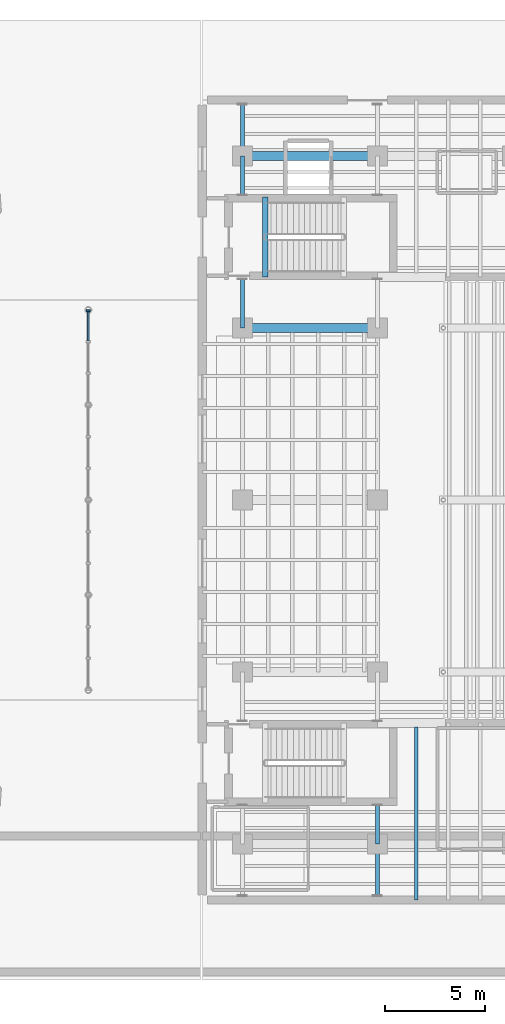
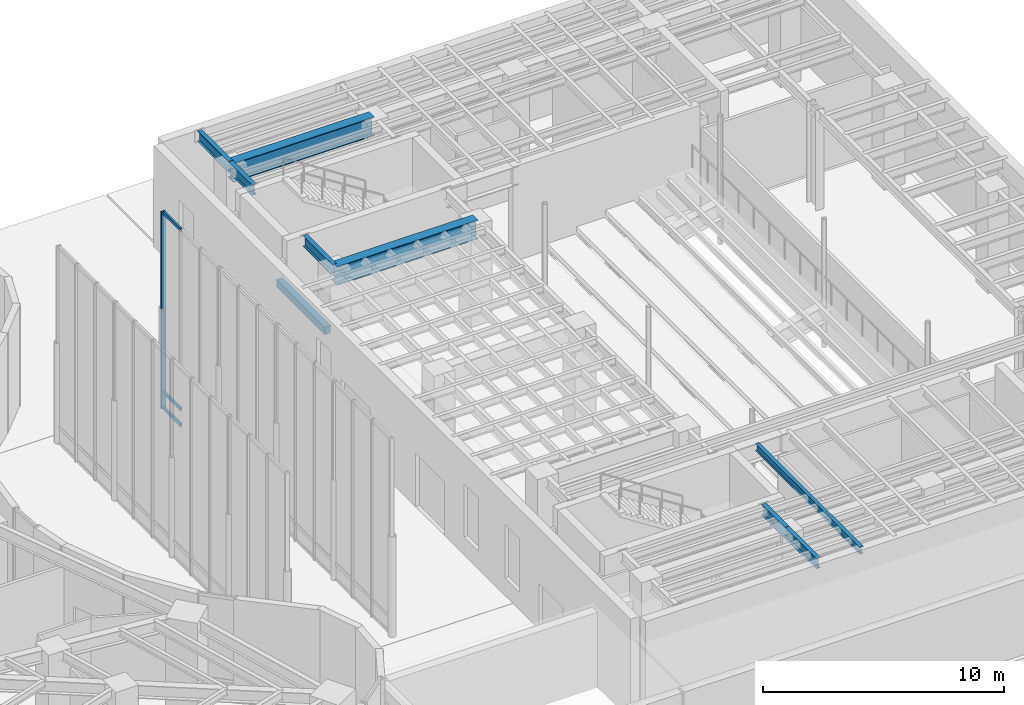
# One storey, part 12 of 28: 9 beams, 4 members, 1 element without a shape of its own.
"""IFC4 building model written with IfcOpenShell, lengths in metres."""

from ifc_helpers import new_model, si_unit, direction, frame, origin, origin_2d, place, context, subcontext, project, spatial, rectangle, i_section, extrude, material, layer, layer_set, material_profile, profile_set, type_object, element, aggregate, save


model = new_model("IFC4")

# Units and contexts
model_context = context("Model", 3, precision=1e-05, world=origin(), true_north=direction((0.0, 1.0)))
body_context = subcontext(model_context, "Body", "Model", "MODEL_VIEW")
ifc_project = project(units=[si_unit("LENGTHUNIT", "METRE"), si_unit("AREAUNIT", "SQUARE_METRE"), si_unit("VOLUMEUNIT", "CUBIC_METRE"), si_unit("PLANEANGLEUNIT", "RADIAN"), si_unit("MASSUNIT", "GRAM", prefix="KILO")], contexts=[model_context])

# Site, building, storey
site_placement = place(None, origin())
site = spatial("IfcSite", under=ifc_project, at=site_placement, CompositionType="ELEMENT")
building_placement = place(site_placement, origin())
building = spatial("IfcBuilding", under=site, at=building_placement, Name="Korentha Bioscience Tower", CompositionType="ELEMENT")
storey_placement = place(building_placement, origin())
storey = spatial("IfcBuildingStorey", under=building, at=storey_placement, Name="L00", CompositionType="ELEMENT", Elevation=0.0)

# Beam
ifc_material_1 = material(Name="Concrete C50", Category="concrete")
ifc_material_profile_1 = material_profile(ifc_material_1, rectangle(XDim=0.280029296875, YDim=0.3798828125, at=origin_2d()), Name="Concrete C50")
ifc_profile_set_1 = profile_set([ifc_material_profile_1], Name="Concrete C50 (ST-HB380)")
beam_type_1 = type_object("IfcBeamType", Name="Concrete Stair Header Beam RC 280x380", PredefinedType="BEAM", material=ifc_profile_set_1)
beam_1_placement = place(storey_placement, frame((67.64990234375, 38.14990234375, -0.18994140625), z_axis=(0.0, 1.0, 0.0), x_axis=(-1.0, 0.0, 0.0)))
element("IfcBeam", 1, at=beam_1_placement, inside=storey, type_object=beam_type_1, Name="L00 ST-T2 Concrete Stair Header Beam", PredefinedType="BEAM", context=body_context, shape_type="SweptSolid", body=[
    extrude(rectangle(XDim=0.280029296875, YDim=0.3798828125, at=origin_2d()), origin(), (0.0, 0.0, 1.0), 4.0),
])

# Curtain wall, member
ifc_material_2 = material(Name="Painted Steel-Aluminium Mullion System", Category="steel")
ifc_layer = layer(ifc_material_2, 0.219970703125, Name="Painted Steel-Aluminium Mullion System")
ifc_layer_set = layer_set([ifc_layer], Name="Painted Steel-Aluminium Mullion System (CW-A1)")
curtain_wall_type = type_object("IfcCurtainWallType", Name="Covered Public Arcade Glazed Wall CW-A1", PredefinedType="USERDEFINED", material=ifc_layer_set)
curtain_wall_placement = place(storey_placement, origin())
curtain_wall = element("IfcCurtainWall", 2, at=curtain_wall_placement, inside=storey, type_object=curtain_wall_type, Name="Covered Arcade Curtain Wall E-4", ObjectType="ARCADE_GLAZING", PredefinedType="USERDEFINED")
ifc_material_3 = material(Name="Anodised Aluminium 6063-T6", Category="aluminium")
ifc_material_profile_2 = material_profile(ifc_material_3, rectangle(XDim=0.090087890625, YDim=0.199951171875, at=origin_2d()), Name="Anodised Aluminium 6063-T6")
ifc_profile_set_2 = profile_set([ifc_material_profile_2], Name="Anodised Aluminium 6063-T6 (CW-MUL)")
member_type_1 = type_object("IfcMemberType", Name="Mullion RECT 90x200", PredefinedType="MULLION", material=ifc_profile_set_2)
member_1_placement = place(storey_placement, frame((58.800048828125, 36.455078125, 0.0), z_axis=(0.0, 0.0, 1.0), x_axis=(0.0, 1.0, 0.0)))
member_1 = element("IfcMember", 3, at=member_1_placement, type_object=member_type_1, Name="CW-ARC-E-4 Mullion 4", PredefinedType="MULLION", context=body_context, shape_type="SweptSolid", body=[
    extrude(rectangle(XDim=0.090087890625, YDim=0.199951171875, at=origin_2d()), origin(), (0.0, 0.0, 1.0), 9.9599609375),
])

# Beams
ifc_material_4 = material(Name="Steel S355", Category="steel")
ifc_material_profile_3 = material_profile(ifc_material_4, i_section(OverallWidth=0.208984375, OverallDepth=0.532958984375, WebThickness=0.01025390625, FlangeThickness=0.015625, at=origin_2d()), Name="Steel S355")
ifc_profile_set_3 = profile_set([ifc_material_profile_3], Name="Steel S355 (SB-530)")
beam_type_2 = type_object("IfcBeamType", Name="Perimeter Ring Spandrel Girder W530x92", PredefinedType="SPANDREL", material=ifc_profile_set_3)
beam_2_placement = place(storey_placement, frame((66.5, 35.60009765625, 4.83349609375), z_axis=(0.0, 1.0, 0.0), x_axis=(-1.0, 0.0, 0.0)))
element("IfcBeam", 4, at=beam_2_placement, inside=storey, type_object=beam_type_2, Name="L00 Theatre Collector Girder 1-6", PredefinedType="SPANDREL", context=body_context, shape_type="SweptSolid", body=[
    extrude(i_section(OverallWidth=0.208984375, OverallDepth=0.532958984375, WebThickness=0.01025390625, FlangeThickness=0.015625, at=origin_2d()), origin(), (0.0, 0.0, 1.0), 2.449951171875),
])
beam_3_placement = place(storey_placement, frame((66.5, 42.25, 4.83349609375), z_axis=(0.0, 1.0, 0.0), x_axis=(-1.0, 0.0, 0.0)))
element("IfcBeam", 5, at=beam_3_placement, inside=storey, type_object=beam_type_2, Name="L00 Theatre Collector Girder 1-7", PredefinedType="SPANDREL", context=body_context, shape_type="SweptSolid", body=[
    extrude(i_section(OverallWidth=0.208984375, OverallDepth=0.532958984375, WebThickness=0.01025390625, FlangeThickness=0.015625, at=origin_2d()), origin(), (0.0, 0.0, 1.0), 1.949951171875),
])
for number, where, z_axis, x_axis, name in (
    (6, (66.5, 44.199951171875, 4.83349609375), (0.0, 1.0, 0.0), (-1.0, 0.0, 0.0), "L00 Theatre Collector Girder 1-8"),
    (7, (73.25, 7.2099609375, 4.83349609375), (0.0, 1.0, 0.0), (-1.0, 0.0, 0.0), "L00 Theatre Collector Girder 2-1"),
):
    element("IfcBeam", number, at=place(storey_placement, frame(where, z_axis=z_axis, x_axis=x_axis)), inside=storey, type_object=beam_type_2, Name=name, PredefinedType="SPANDREL", context=body_context, shape_type="SweptSolid", body=[
        extrude(i_section(OverallWidth=0.208984375, OverallDepth=0.532958984375, WebThickness=0.01025390625, FlangeThickness=0.015625, at=origin_2d()), origin(), (0.0, 0.0, 1.0), 2.590087890625),
    ])
beam_4_placement = place(storey_placement, frame((73.25, 9.800048828125, 4.83349609375), z_axis=(0.0, 1.0, 0.0), x_axis=(-1.0, 0.0, 0.0)))
element("IfcBeam", 8, at=beam_4_placement, inside=storey, type_object=beam_type_2, Name="L00 Theatre Collector Girder 2-2", PredefinedType="SPANDREL", context=body_context, shape_type="SweptSolid", body=[
    extrude(i_section(OverallWidth=0.208984375, OverallDepth=0.532958984375, WebThickness=0.01025390625, FlangeThickness=0.015625, at=origin_2d()), origin(), (0.0, 0.0, 1.0), 1.949951171875),
])
ifc_material_profile_4 = material_profile(ifc_material_4, i_section(OverallWidth=0.1708984375, OverallDepth=0.35498046875, WebThickness=0.007080078125, FlangeThickness=0.01171875, at=origin_2d()), Name="Steel S355")
ifc_profile_set_4 = profile_set([ifc_material_profile_4], Name="Steel S355 (JB-360)")
beam_type_3 = type_object("IfcBeamType", Name="Secondary Laboratory Joist W360x51", PredefinedType="JOIST", material=ifc_profile_set_4)
beam_5_placement = place(storey_placement, frame((75.199951171875, 7.0, 4.922607421875), z_axis=(0.0, 1.0, 0.0), x_axis=(-1.0, 0.0, 0.0)))
element("IfcBeam", 9, at=beam_5_placement, inside=storey, type_object=beam_type_3, Name="L00 South Wing Longitudinal Joist 06", PredefinedType="JOIST", context=body_context, shape_type="SweptSolid", body=[
    extrude(i_section(OverallWidth=0.1708984375, OverallDepth=0.35498046875, WebThickness=0.007080078125, FlangeThickness=0.01171875, at=origin_2d()), origin(), (0.0, 0.0, 1.0), 8.659912109375),
])
ifc_material_profile_5 = material_profile(ifc_material_4, i_section(OverallWidth=0.449951171875, OverallDepth=0.949951171875, WebThickness=0.02001953125, FlangeThickness=0.034912109375, at=origin_2d()), Name="Steel S355")
ifc_profile_set_5 = profile_set([ifc_material_profile_5], Name="Steel S355 (TB-950)")
beam_type_4 = type_object("IfcBeamType", Name="Theatre Primary Girder CVS 950x374", PredefinedType="BEAM", material=ifc_profile_set_5)
for number, where, z_axis, x_axis, name in (
    (10, (66.5, 35.60009765625, 4.625), (1.0, 0.0, 0.0), (0.0, 1.0, 0.0), "L00 Theatre Foyer Girder 4"),
    (11, (66.5, 44.199951171875, 4.625), (1.0, 0.0, 0.0), (0.0, 1.0, 0.0), "L00 Theatre Foyer Girder 5"),
):
    element("IfcBeam", number, at=place(storey_placement, frame(where, z_axis=z_axis, x_axis=x_axis)), inside=storey, type_object=beam_type_4, Name=name, PredefinedType="BEAM", context=body_context, shape_type="SweptSolid", body=[
        extrude(i_section(OverallWidth=0.449951171875, OverallDepth=0.949951171875, WebThickness=0.02001953125, FlangeThickness=0.034912109375, at=origin_2d()), origin(), (0.0, 0.0, 1.0), 6.75),
    ])

# Member
ifc_material_profile_6 = material_profile(ifc_material_3, rectangle(XDim=0.090087890625, YDim=0.159912109375, at=origin_2d()), Name="Anodised Aluminium 6063-T6")
ifc_profile_set_6 = profile_set([ifc_material_profile_6], Name="Anodised Aluminium 6063-T6 (CW-TRN)")
member_type_2 = type_object("IfcMemberType", Name="Transom RECT 90x160", PredefinedType="USERDEFINED", material=ifc_profile_set_6)
member_2_placement = place(storey_placement, frame((58.800048828125, 34.961669921875, 0.044921875), z_axis=(0.0, 1.0, 0.0), x_axis=(-1.0, 0.0, 0.0)))
member_2 = element("IfcMember", 12, at=member_2_placement, type_object=member_type_2, Name="CW-ARC-E-4 Bay 3 Transom 1", ObjectType="TRANSOM", PredefinedType="USERDEFINED", context=body_context, shape_type="SweptSolid", body=[
    extrude(rectangle(XDim=0.090087890625, YDim=0.159912109375, at=origin_2d()), origin(), (0.0, 0.0, 1.0), 1.4482421875),
])

member_3_placement = place(storey_placement, frame((58.800048828125, 34.961669921875, 0.85009765625), z_axis=(0.0, 1.0, 0.0), x_axis=(-1.0, 0.0, 0.0)))
member_3 = element("IfcMember", 13, at=member_3_placement, type_object=member_type_2, Name="CW-ARC-E-4 Bay 3 Transom 2", ObjectType="TRANSOM", PredefinedType="USERDEFINED", context=body_context, shape_type="SweptSolid", body=[
    extrude(rectangle(XDim=0.090087890625, YDim=0.159912109375, at=origin_2d()), origin(), (0.0, 0.0, 1.0), 1.4482421875),
])

member_4_placement = place(storey_placement, frame((58.800048828125, 34.961669921875, 9.9150390625), z_axis=(0.0, 1.0, 0.0), x_axis=(-1.0, 0.0, 0.0)))
member_4 = element("IfcMember", 14, at=member_4_placement, type_object=member_type_2, Name="CW-ARC-E-4 Bay 3 Transom 3", ObjectType="TRANSOM", PredefinedType="USERDEFINED", context=body_context, shape_type="SweptSolid", body=[
    extrude(rectangle(XDim=0.090087890625, YDim=0.159912109375, at=origin_2d()), origin(), (0.0, 0.0, 1.0), 1.4482421875),
])

aggregate(curtain_wall, [member_1, member_2, member_3, member_4])

save(model, "model.ifc")
